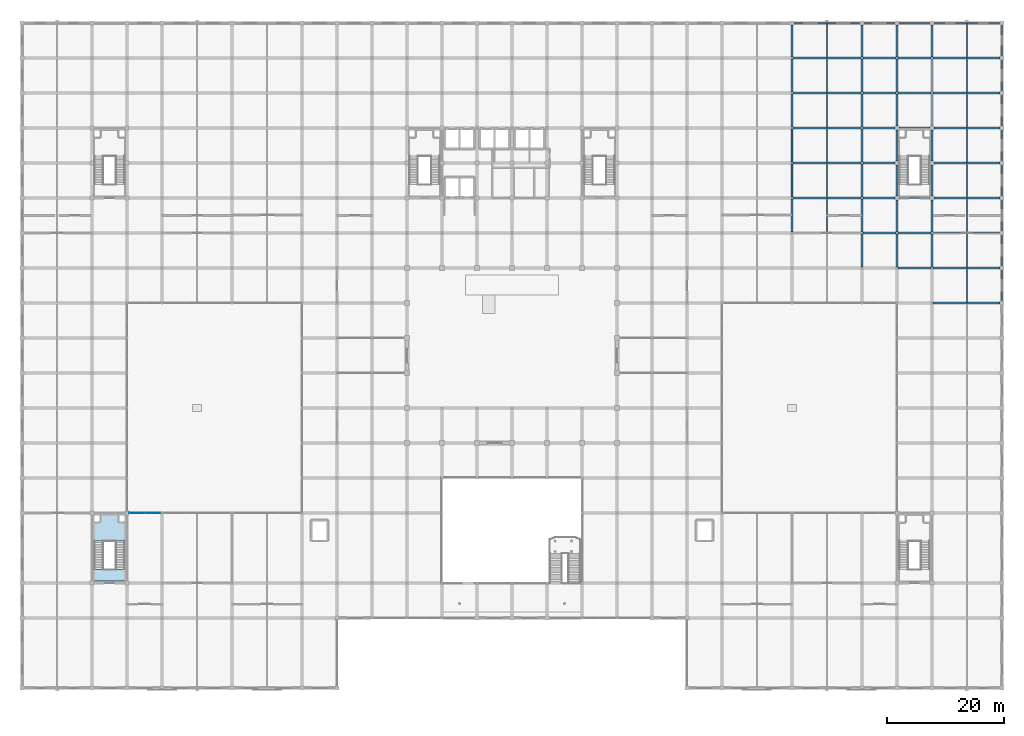
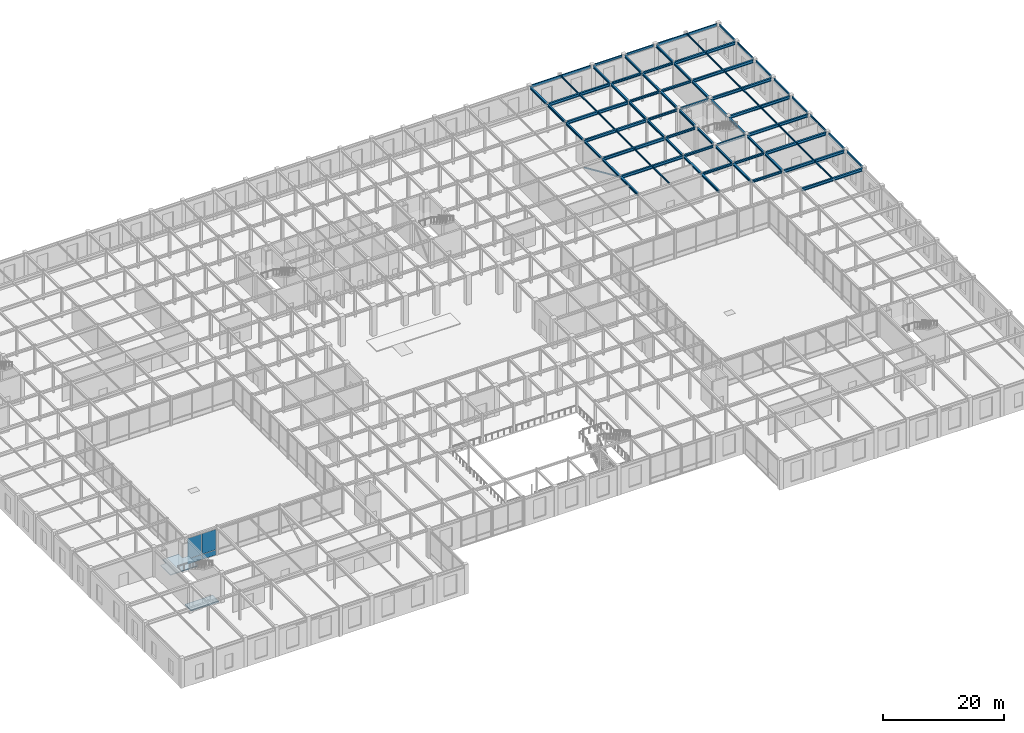
# One storey, part 92 of 108: 78 beams, 4 plates, 2 slabs, 1 member, 2 elements without a shape of their own.
"""IFC4 building model written with IfcOpenShell, lengths in metres."""

import ifcopenshell
import ifcopenshell.guid

model = None  # the IFC model being written
_history = None  # IfcOwnerHistory: only IFC2X3 demands one
_inside = {}  # id of a spatial element -> (the spatial element, [elements in it])
_under = {}  # id of a project, library or spatial element -> (it, [spatial elements below it])
_declared = {}  # id of a project -> (the project, [libraries it declares])
_typed = {}  # id of a type object -> (the type object, [elements of that type])
_made_of = {}  # id of a material, layer set ... -> (it, [elements and type objects made of it])


def new_model(schema):
    """Start an empty IFC model of exactly this schema.

    Asked for "IFC4X3", IfcOpenShell would pick the latest addendum, in which some entities
    have other attributes; the version numbers below select the first issue.
    IFC2X3 requires an IfcOwnerHistory on every rooted entity: one is made here for all.
    """
    global model, _history
    if schema == "IFC4X3":
        model = ifcopenshell.file(schema_version=(4, 3, 0, 0))
    else:
        model = ifcopenshell.file(schema=schema)
    _inside.clear()
    _under.clear()
    _declared.clear()
    _typed.clear()
    _made_of.clear()
    _history = None
    if model.schema == "IFC2X3":
        org = make("IfcOrganization", Name="unknown")
        user = make(
            "IfcPersonAndOrganization",
            ThePerson=make("IfcPerson", FamilyName="unknown"),
            TheOrganization=org,
        )
        app = make(
            "IfcApplication",
            ApplicationDeveloper=org,
            Version="unknown",
            ApplicationFullName="unknown",
            ApplicationIdentifier="unknown",
        )
        _history = make(
            "IfcOwnerHistory",
            OwningUser=user,
            OwningApplication=app,
            ChangeAction="ADDED",
            CreationDate=0,
        )
    return model


def make(cls, **values):
    """One entity of the class cls with the attributes given. An attribute that is None is left unset."""
    return model.create_entity(
        cls, **{name: value for name, value in values.items() if value is not None}
    )


def rooted(cls, **values):
    """An entity with a GlobalId (a new one), such as an element, a storey or a relation."""
    return make(cls, GlobalId=ifcopenshell.guid.new(), OwnerHistory=_history, **values)


def si_unit(unit_type, name, prefix=None):
    """IfcSIUnit, for example si_unit("LENGTHUNIT", "METRE", prefix="MILLI")."""
    return make("IfcSIUnit", UnitType=unit_type, Prefix=prefix, Name=name)


def assignment(units):
    """IfcUnitAssignment: the units of a project."""
    return None if units is None else make("IfcUnitAssignment", Units=units)


def point(xyz):
    """IfcCartesianPoint."""
    return None if xyz is None else make("IfcCartesianPoint", Coordinates=xyz)


def direction(xyz):
    """IfcDirection."""
    return None if xyz is None else make("IfcDirection", DirectionRatios=xyz)


def frame(location, z_axis=None, x_axis=None):
    """IfcAxis2Placement3D, a coordinate frame: its origin and axes. An axis left out is left unset."""
    return make(
        "IfcAxis2Placement3D",
        Location=point(location),
        Axis=direction(z_axis),
        RefDirection=direction(x_axis),
    )


def frame_2d(location, x_axis=None):
    """IfcAxis2Placement2D, a coordinate frame in the plane: its origin and x axis."""
    return make(
        "IfcAxis2Placement2D", Location=point(location), RefDirection=direction(x_axis)
    )


def origin():
    """The frame at (0, 0, 0) with its axes left unset."""
    return frame((0.0, 0.0, 0.0))


def origin_2d():
    """The frame at (0, 0) in the plane with its x axis left unset."""
    return frame_2d((0.0, 0.0))


def place(relative_to, where):
    """IfcLocalPlacement: puts the frame where relative to a parent placement (None: the world)."""
    return make(
        "IfcLocalPlacement", PlacementRelTo=relative_to, RelativePlacement=where
    )


def context(
    kind, dimensions, precision=None, world=None, true_north=None, identifier=None
):
    """IfcGeometricRepresentationContext, for example the 3D "Model" context."""
    return make(
        "IfcGeometricRepresentationContext",
        ContextIdentifier=identifier,
        ContextType=kind,
        CoordinateSpaceDimension=dimensions,
        Precision=precision,
        WorldCoordinateSystem=world,
        TrueNorth=true_north,
    )


def subcontext(parent, identifier, kind, view, scale=None):
    """IfcGeometricRepresentationSubContext, for example "Body" below "Model"."""
    return make(
        "IfcGeometricRepresentationSubContext",
        ContextIdentifier=identifier,
        ContextType=kind,
        ParentContext=parent,
        TargetScale=scale,
        TargetView=view,
    )


def project(units=None, contexts=None):
    """IfcProject with its units and contexts."""
    return rooted(
        "IfcProject",
        Name="project",
        RepresentationContexts=contexts,
        UnitsInContext=assignment(units),
    )


def spatial(cls, under=None, at=None, **own):
    """A site, building, storey or space (cls), placed at a placement, below another one or the project."""
    s = rooted(cls, ObjectPlacement=at, **own)
    if under is not None:
        _under.setdefault(under.id(), (under, []))[1].append(s)
    return s


def polyline(points):
    """IfcPolyline through the points."""
    return make("IfcPolyline", Points=[point(p) for p in points])


def profile(cls, at=None, kind="AREA", **sizes):
    """A parametric profile (cls). Its sizes go by their IFC names, for example OverallWidth=200.0."""
    return make(cls, ProfileType=kind, Position=at, **sizes)


def rectangle(**sizes):
    """IfcRectangleProfileDef."""
    return profile("IfcRectangleProfileDef", **sizes)


def hollow_rectangle(**sizes):
    """IfcRectangleHollowProfileDef."""
    return profile("IfcRectangleHollowProfileDef", **sizes)


def i_section(**sizes):
    """IfcIShapeProfileDef."""
    return profile("IfcIShapeProfileDef", **sizes)


def outline(outer, holes=None, kind="AREA"):
    """IfcArbitraryClosedProfileDef: a profile drawn as a closed curve; with holes, ...WithVoids."""
    if holes is None:
        return make("IfcArbitraryClosedProfileDef", ProfileType=kind, OuterCurve=outer)
    return make(
        "IfcArbitraryProfileDefWithVoids",
        ProfileType=kind,
        OuterCurve=outer,
        InnerCurves=holes,
    )


def extrude(swept, where, along, depth):
    """IfcExtrudedAreaSolid: the profile swept, set in the frame where, extruded along a direction by depth."""
    return make(
        "IfcExtrudedAreaSolid",
        SweptArea=swept,
        Position=where,
        ExtrudedDirection=direction(along),
        Depth=depth,
    )


def shape(context_of_items, identifier, shape_type, items):
    """IfcShapeRepresentation: the items that make up one representation, for example the "Body"."""
    return make(
        "IfcShapeRepresentation",
        ContextOfItems=context_of_items,
        RepresentationIdentifier=identifier,
        RepresentationType=shape_type,
        Items=items,
    )


def material(Name=None, Category=None):
    """IfcMaterial."""
    return make("IfcMaterial", Name=Name, Category=Category)


def layer(
    of_material, thickness, ventilated=None, Name=None, Category=None, Priority=None
):
    """IfcMaterialLayer: one layer of a wall or slab, of a material (None: an air gap)."""
    return make(
        "IfcMaterialLayer",
        Material=of_material,
        LayerThickness=thickness,
        IsVentilated=ventilated,
        Name=Name,
        Category=Category,
        Priority=Priority,
    )


def layer_set(layers, Name=None):
    """IfcMaterialLayerSet."""
    return make("IfcMaterialLayerSet", MaterialLayers=layers, LayerSetName=Name)


def material_profile(
    of_material, cross_section, Name=None, Category=None, Priority=None
):
    """IfcMaterialProfile: a cross section and its material."""
    return make(
        "IfcMaterialProfile",
        Name=Name,
        Material=of_material,
        Profile=cross_section,
        Priority=Priority,
        Category=Category,
    )


def profile_set(profiles, Name=None, composite=None):
    """IfcMaterialProfileSet."""
    return make(
        "IfcMaterialProfileSet",
        Name=Name,
        MaterialProfiles=profiles,
        CompositeProfile=composite,
    )


def made_of(thing, what):
    """Note that an element or type object is made of a material, layer set ...; save() writes the relation."""
    if what is not None:
        _made_of.setdefault(what.id(), (what, []))[1].append(thing)
    return thing


def type_object(cls, material=None, **own):
    """A type object (cls), such as IfcWallType, which elements share."""
    return made_of(rooted(cls, **own), material)


def element(
    cls,
    number,
    at=None,
    inside=None,
    cuts=None,
    type_object=None,
    material=None,
    context=None,
    identifier="Body",
    shape_type=None,
    held_by="IfcProductDefinitionShape",
    body=None,
    shapes=None,
    **own,
):
    """One element of the class cls, such as IfcWall. Its Tag is "e" and its number.

    at: its placement. inside: the storey or other place that contains it. cuts: it is an
    opening in that element (IfcRelVoidsElement). A single representation is given by context,
    identifier, shape_type and body (its items); several are given by shapes. held_by: the class
    of the entity that holds the representations. save() writes the other relations.
    """
    e = rooted(cls, Tag="e%d" % number, ObjectPlacement=at, **own)
    if body is not None:
        shapes = [shape(context, identifier, shape_type, body)]
    if shapes is not None:
        e.Representation = make(held_by, Representations=shapes)
    if inside is not None:
        _inside.setdefault(inside.id(), (inside, []))[1].append(e)
    if cuts is not None:
        rooted(
            "IfcRelVoidsElement", RelatingBuildingElement=cuts, RelatedOpeningElement=e
        )
    if type_object is not None:
        _typed.setdefault(type_object.id(), (type_object, []))[1].append(e)
    return made_of(e, material)


def aggregate(whole, parts):
    """IfcRelAggregates: a whole, such as a stair, and the parts it consists of."""
    return rooted("IfcRelAggregates", RelatingObject=whole, RelatedObjects=parts)


def save(model, path):
    """Write the relations noted so far, then the file.

    IfcRelAggregates (storeys below a building ...), IfcRelContainedInSpatialStructure (elements
    in a storey), IfcRelDefinesByType, IfcRelAssociatesMaterial and IfcRelDeclares: one each for
    every whole, place, type object, material and project.
    """
    for whole, parts in _under.values():
        aggregate(whole, parts)
    for where, things in _inside.values():
        rooted(
            "IfcRelContainedInSpatialStructure",
            RelatedElements=things,
            RelatingStructure=where,
        )
    for kind, things in _typed.values():
        rooted("IfcRelDefinesByType", RelatedObjects=things, RelatingType=kind)
    for what, things in _made_of.values():
        rooted("IfcRelAssociatesMaterial", RelatedObjects=things, RelatingMaterial=what)
    for by, libraries in _declared.values():
        rooted("IfcRelDeclares", RelatingContext=by, RelatedDefinitions=libraries)
    model.write(path)


model = new_model("IFC4")

# Units and contexts
model_context = context("Model", 3, precision=1e-05, world=origin(), true_north=direction((0.0, 1.0)))
body_context = subcontext(model_context, "Body", "Model", "MODEL_VIEW")
ifc_project = project(units=[si_unit("LENGTHUNIT", "METRE"), si_unit("AREAUNIT", "SQUARE_METRE"), si_unit("VOLUMEUNIT", "CUBIC_METRE"), si_unit("PLANEANGLEUNIT", "RADIAN"), si_unit("MASSUNIT", "GRAM", prefix="KILO")], contexts=[model_context])

# Site, building, storey
site_placement = place(None, origin())
site = spatial("IfcSite", under=ifc_project, at=site_placement, CompositionType="ELEMENT")
building_placement = place(site_placement, origin())
building = spatial("IfcBuilding", under=site, at=building_placement, Name="Zlatovratsky Civic Hall", CompositionType="ELEMENT")
storey_placement = place(building_placement, frame((0.0, 0.0, 6.0)))
storey = spatial("IfcBuildingStorey", under=building, at=storey_placement, Name="L02", CompositionType="ELEMENT", Elevation=6.0)

# Beams
ifc_material_1 = material(Name="Steel S355", Category="steel")
ifc_material_profile_1 = material_profile(ifc_material_1, i_section(OverallWidth=0.320068359375, OverallDepth=0.58203125, WebThickness=0.011962890625, FlangeThickness=0.01708984375, FilletRadius=0.02392578125, at=origin_2d()), Name="60Sh1")
ifc_profile_set_1 = profile_set([ifc_material_profile_1], Name="Steel S355")
beam_type_1 = type_object("IfcBeamType", Name="Beam_PodiumGirder_60Sh1", PredefinedType="BEAM", material=ifc_profile_set_1)
for number, where, z_axis, x_axis, name in (
    (1, (156.14990234375, 66.0, 5.468994140625), (1.0, 0.0, 0.0), (0.0, 1.0, 0.0), "BM-1884"),
    (2, (156.14990234375, 72.0, 5.468994140625), (1.0, 0.0, 0.0), (0.0, 1.0, 0.0), "BM-1906"),
    (3, (156.14990234375, 78.0, 5.468994140625), (1.0, 0.0, 0.0), (0.0, 1.0, 0.0), "BM-1928"),
):
    element("IfcBeam", number, at=place(storey_placement, frame(where, z_axis=z_axis, x_axis=x_axis)), inside=storey, type_object=beam_type_1, Name=name, PredefinedType="BEAM", context=body_context, shape_type="SweptSolid", body=[
        extrude(i_section(OverallWidth=0.320068359375, OverallDepth=0.58203125, WebThickness=0.011962890625, FlangeThickness=0.01708984375, FilletRadius=0.02392578125, at=origin_2d()), origin(), (0.0, 0.0, 1.0), 11.5),
    ])
beam_1_placement = place(storey_placement, frame((132.14990234375, 84.0, 5.468994140625), z_axis=(1.0, 0.0, 0.0), x_axis=(0.0, 1.0, 0.0)))
element("IfcBeam", 4, at=beam_1_placement, inside=storey, type_object=beam_type_1, Name="BM-1947", PredefinedType="BEAM", context=body_context, shape_type="SweptSolid", body=[
    extrude(i_section(OverallWidth=0.320068359375, OverallDepth=0.58203125, WebThickness=0.011962890625, FlangeThickness=0.01708984375, FilletRadius=0.02392578125, at=origin_2d()), origin(), (0.0, 0.0, 1.0), 11.7001953125),
])
beam_2_placement = place(storey_placement, frame((156.35009765625, 84.0, 5.468994140625), z_axis=(1.0, 0.0, 0.0), x_axis=(0.0, 1.0, 0.0)))
element("IfcBeam", 5, at=beam_2_placement, inside=storey, type_object=beam_type_1, Name="BM-1950", PredefinedType="BEAM", context=body_context, shape_type="SweptSolid", body=[
    extrude(i_section(OverallWidth=0.320068359375, OverallDepth=0.58203125, WebThickness=0.011962890625, FlangeThickness=0.01708984375, FilletRadius=0.02392578125, at=origin_2d()), origin(), (0.0, 0.0, 1.0), 11.2998046875),
])
beam_3_placement = place(storey_placement, frame((132.14990234375, 90.0, 5.468994140625), z_axis=(1.0, 0.0, 0.0), x_axis=(0.0, 1.0, 0.0)))
element("IfcBeam", 6, at=beam_3_placement, inside=storey, type_object=beam_type_1, Name="BM-1966", PredefinedType="BEAM", context=body_context, shape_type="SweptSolid", body=[
    extrude(i_section(OverallWidth=0.320068359375, OverallDepth=0.58203125, WebThickness=0.011962890625, FlangeThickness=0.01708984375, FilletRadius=0.02392578125, at=origin_2d()), origin(), (0.0, 0.0, 1.0), 11.7001953125),
])
beam_4_placement = place(storey_placement, frame((156.35009765625, 90.0, 5.468994140625), z_axis=(1.0, 0.0, 0.0), x_axis=(0.0, 1.0, 0.0)))
element("IfcBeam", 7, at=beam_4_placement, inside=storey, type_object=beam_type_1, Name="BM-1968", PredefinedType="BEAM", context=body_context, shape_type="SweptSolid", body=[
    extrude(i_section(OverallWidth=0.320068359375, OverallDepth=0.58203125, WebThickness=0.011962890625, FlangeThickness=0.01708984375, FilletRadius=0.02392578125, at=origin_2d()), origin(), (0.0, 0.0, 1.0), 11.2998046875),
])
beam_5_placement = place(storey_placement, frame((132.14990234375, 96.0, 5.468994140625), z_axis=(1.0, 0.0, 0.0), x_axis=(0.0, 1.0, 0.0)))
element("IfcBeam", 8, at=beam_5_placement, inside=storey, type_object=beam_type_1, Name="BM-1987", PredefinedType="BEAM", context=body_context, shape_type="SweptSolid", body=[
    extrude(i_section(OverallWidth=0.320068359375, OverallDepth=0.58203125, WebThickness=0.011962890625, FlangeThickness=0.01708984375, FilletRadius=0.02392578125, at=origin_2d()), origin(), (0.0, 0.0, 1.0), 11.7001953125),
])
beam_6_placement = place(storey_placement, frame((156.35009765625, 96.0, 5.468994140625), z_axis=(1.0, 0.0, 0.0), x_axis=(0.0, 1.0, 0.0)))
element("IfcBeam", 9, at=beam_6_placement, inside=storey, type_object=beam_type_1, Name="BM-1990", PredefinedType="BEAM", context=body_context, shape_type="SweptSolid", body=[
    extrude(i_section(OverallWidth=0.320068359375, OverallDepth=0.58203125, WebThickness=0.011962890625, FlangeThickness=0.01708984375, FilletRadius=0.02392578125, at=origin_2d()), origin(), (0.0, 0.0, 1.0), 11.2998046875),
])
beam_7_placement = place(storey_placement, frame((132.14990234375, 102.0, 5.468994140625), z_axis=(1.0, 0.0, 0.0), x_axis=(0.0, 1.0, 0.0)))
element("IfcBeam", 10, at=beam_7_placement, inside=storey, type_object=beam_type_1, Name="BM-2009", PredefinedType="BEAM", context=body_context, shape_type="SweptSolid", body=[
    extrude(i_section(OverallWidth=0.320068359375, OverallDepth=0.58203125, WebThickness=0.011962890625, FlangeThickness=0.01708984375, FilletRadius=0.02392578125, at=origin_2d()), origin(), (0.0, 0.0, 1.0), 11.7001953125),
])
beam_8_placement = place(storey_placement, frame((156.14990234375, 102.0, 5.468994140625), z_axis=(1.0, 0.0, 0.0), x_axis=(0.0, 1.0, 0.0)))
element("IfcBeam", 11, at=beam_8_placement, inside=storey, type_object=beam_type_1, Name="BM-2012", PredefinedType="BEAM", context=body_context, shape_type="SweptSolid", body=[
    extrude(i_section(OverallWidth=0.320068359375, OverallDepth=0.58203125, WebThickness=0.011962890625, FlangeThickness=0.01708984375, FilletRadius=0.02392578125, at=origin_2d()), origin(), (0.0, 0.0, 1.0), 11.5),
])
beam_9_placement = place(storey_placement, frame((132.14990234375, 108.0, 5.468994140625), z_axis=(1.0, 0.0, 0.0), x_axis=(0.0, 1.0, 0.0)))
element("IfcBeam", 12, at=beam_9_placement, inside=storey, type_object=beam_type_1, Name="BM-2031", PredefinedType="BEAM", context=body_context, shape_type="SweptSolid", body=[
    extrude(i_section(OverallWidth=0.320068359375, OverallDepth=0.58203125, WebThickness=0.011962890625, FlangeThickness=0.01708984375, FilletRadius=0.02392578125, at=origin_2d()), origin(), (0.0, 0.0, 1.0), 11.7001953125),
])
beam_10_placement = place(storey_placement, frame((156.14990234375, 108.0, 5.468994140625), z_axis=(1.0, 0.0, 0.0), x_axis=(0.0, 1.0, 0.0)))
element("IfcBeam", 13, at=beam_10_placement, inside=storey, type_object=beam_type_1, Name="BM-2034", PredefinedType="BEAM", context=body_context, shape_type="SweptSolid", body=[
    extrude(i_section(OverallWidth=0.320068359375, OverallDepth=0.58203125, WebThickness=0.011962890625, FlangeThickness=0.01708984375, FilletRadius=0.02392578125, at=origin_2d()), origin(), (0.0, 0.0, 1.0), 11.5),
])
ifc_material_profile_2 = material_profile(ifc_material_1, i_section(OverallWidth=0.198974609375, OverallDepth=0.491943359375, WebThickness=0.0087890625, FlangeThickness=0.011962890625, FilletRadius=0.01611328125, at=origin_2d()), Name="50B1")
ifc_profile_set_2 = profile_set([ifc_material_profile_2], Name="Steel S355")
beam_type_2 = type_object("IfcBeamType", Name="Beam_Spandrel_50B1", PredefinedType="SPANDREL", material=ifc_profile_set_2)
for number, where, z_axis, x_axis, name in (
    (14, (144.35009765625, 114.0, 5.513916015625), (1.0, 0.0, 0.0), (0.0, 1.0, 0.0), "BM-2054"),
    (15, (150.35009765625, 114.0, 5.513916015625), (1.0, 0.0, 0.0), (0.0, 1.0, 0.0), "BM-2055"),
    (16, (168.0, 66.35009765625, 5.513916015625), (0.0, 1.0, 0.0), (-1.0, 0.0, 0.0), "BM-2381"),
    (17, (168.0, 72.35009765625, 5.513916015625), (0.0, 1.0, 0.0), (-1.0, 0.0, 0.0), "BM-2382"),
    (18, (168.0, 78.35009765625, 5.513916015625), (0.0, 1.0, 0.0), (-1.0, 0.0, 0.0), "BM-2383"),
    (19, (168.0, 84.35009765625, 5.513916015625), (0.0, 1.0, 0.0), (-1.0, 0.0, 0.0), "BM-2384"),
    (20, (168.0, 90.35009765625, 5.513916015625), (0.0, 1.0, 0.0), (-1.0, 0.0, 0.0), "BM-2385"),
    (21, (168.0, 96.35009765625, 5.513916015625), (0.0, 1.0, 0.0), (-1.0, 0.0, 0.0), "BM-2386"),
    (22, (168.0, 102.35009765625, 5.513916015625), (0.0, 1.0, 0.0), (-1.0, 0.0, 0.0), "BM-2387"),
    (23, (168.0, 108.35009765625, 5.513916015625), (0.0, 1.0, 0.0), (-1.0, 0.0, 0.0), "BM-2388"),
):
    element("IfcBeam", number, at=place(storey_placement, frame(where, z_axis=z_axis, x_axis=x_axis)), inside=storey, type_object=beam_type_2, Name=name, PredefinedType="SPANDREL", context=body_context, shape_type="SweptSolid", body=[
        extrude(i_section(OverallWidth=0.198974609375, OverallDepth=0.491943359375, WebThickness=0.0087890625, FlangeThickness=0.011962890625, FilletRadius=0.01611328125, at=origin_2d()), origin(), (0.0, 0.0, 1.0), 5.2998046875),
    ])
ifc_material_profile_3 = material_profile(ifc_material_1, i_section(OverallWidth=0.198974609375, OverallDepth=0.593017578125, WebThickness=0.010498046875, FlangeThickness=0.014892578125, FilletRadius=0.01806640625, at=origin_2d()), Name="60B1")
ifc_profile_set_3 = profile_set([ifc_material_profile_3], Name="Steel S355")
beam_type_3 = type_object("IfcBeamType", Name="Beam_Spandrel_60B1", PredefinedType="SPANDREL", material=ifc_profile_set_3)
for number, where, z_axis, x_axis, name in (
    (24, (132.35009765625, 114.0, 5.46337890625), (1.0, 0.0, 0.0), (0.0, 1.0, 0.0), "BM-2053"),
    (25, (156.35009765625, 114.0, 5.46337890625), (1.0, 0.0, 0.0), (0.0, 1.0, 0.0), "BM-2056"),
):
    element("IfcBeam", number, at=place(storey_placement, frame(where, z_axis=z_axis, x_axis=x_axis)), inside=storey, type_object=beam_type_3, Name=name, PredefinedType="SPANDREL", context=body_context, shape_type="SweptSolid", body=[
        extrude(i_section(OverallWidth=0.198974609375, OverallDepth=0.593017578125, WebThickness=0.010498046875, FlangeThickness=0.014892578125, FilletRadius=0.01806640625, at=origin_2d()), origin(), (0.0, 0.0, 1.0), 11.2998046875),
    ])
ifc_material_profile_4 = material_profile(ifc_material_1, i_section(OverallWidth=0.300048828125, OverallDepth=0.43994140625, WebThickness=0.010986328125, FlangeThickness=0.01806640625, FilletRadius=0.02197265625, at=origin_2d()), Name="45Sh1")
ifc_profile_set_4 = profile_set([ifc_material_profile_4], Name="Steel S355")
beam_type_4 = type_object("IfcBeamType", Name="Beam_TowerLow_45Sh1", PredefinedType="BEAM", material=ifc_profile_set_4)
for number, where, z_axis, x_axis, name in (
    (26, (150.14990234375, 72.0, 5.5400390625), (1.0, 0.0, 0.0), (0.0, 1.0, 0.0), "BM-1905"),
    (27, (144.14990234375, 78.0, 5.5400390625), (1.0, 0.0, 0.0), (0.0, 1.0, 0.0), "BM-1926"),
    (28, (150.14990234375, 78.0, 5.5400390625), (1.0, 0.0, 0.0), (0.0, 1.0, 0.0), "BM-1927"),
):
    element("IfcBeam", number, at=place(storey_placement, frame(where, z_axis=z_axis, x_axis=x_axis)), inside=storey, type_object=beam_type_4, Name=name, PredefinedType="BEAM", context=body_context, shape_type="SweptSolid", body=[
        extrude(i_section(OverallWidth=0.300048828125, OverallDepth=0.43994140625, WebThickness=0.010986328125, FlangeThickness=0.01806640625, FilletRadius=0.02197265625, at=origin_2d()), origin(), (0.0, 0.0, 1.0), 5.7001953125),
    ])
beam_11_placement = place(storey_placement, frame((144.14990234375, 84.0, 5.5400390625), z_axis=(1.0, 0.0, 0.0), x_axis=(0.0, 1.0, 0.0)))
element("IfcBeam", 29, at=beam_11_placement, inside=storey, type_object=beam_type_4, Name="BM-1948", PredefinedType="BEAM", context=body_context, shape_type="SweptSolid", body=[
    extrude(i_section(OverallWidth=0.300048828125, OverallDepth=0.43994140625, WebThickness=0.010986328125, FlangeThickness=0.01806640625, FilletRadius=0.02197265625, at=origin_2d()), origin(), (0.0, 0.0, 1.0), 5.5),
])
beam_12_placement = place(storey_placement, frame((150.35009765625, 84.0, 5.5400390625), z_axis=(1.0, 0.0, 0.0), x_axis=(0.0, 1.0, 0.0)))
element("IfcBeam", 30, at=beam_12_placement, inside=storey, type_object=beam_type_4, Name="BM-1949", PredefinedType="BEAM", context=body_context, shape_type="SweptSolid", body=[
    extrude(i_section(OverallWidth=0.300048828125, OverallDepth=0.43994140625, WebThickness=0.010986328125, FlangeThickness=0.01806640625, FilletRadius=0.02197265625, at=origin_2d()), origin(), (0.0, 0.0, 1.0), 5.2998046875),
])
for number, where, z_axis, x_axis, name in (
    (31, (144.14990234375, 90.0, 5.5400390625), (1.0, 0.0, 0.0), (0.0, 1.0, 0.0), "BM-1967"),
    (32, (144.14990234375, 96.0, 5.5400390625), (1.0, 0.0, 0.0), (0.0, 1.0, 0.0), "BM-1988"),
):
    element("IfcBeam", number, at=place(storey_placement, frame(where, z_axis=z_axis, x_axis=x_axis)), inside=storey, type_object=beam_type_4, Name=name, PredefinedType="BEAM", context=body_context, shape_type="SweptSolid", body=[
        extrude(i_section(OverallWidth=0.300048828125, OverallDepth=0.43994140625, WebThickness=0.010986328125, FlangeThickness=0.01806640625, FilletRadius=0.02197265625, at=origin_2d()), origin(), (0.0, 0.0, 1.0), 5.5),
    ])
beam_13_placement = place(storey_placement, frame((150.35009765625, 96.0, 5.5400390625), z_axis=(1.0, 0.0, 0.0), x_axis=(0.0, 1.0, 0.0)))
element("IfcBeam", 33, at=beam_13_placement, inside=storey, type_object=beam_type_4, Name="BM-1989", PredefinedType="BEAM", context=body_context, shape_type="SweptSolid", body=[
    extrude(i_section(OverallWidth=0.300048828125, OverallDepth=0.43994140625, WebThickness=0.010986328125, FlangeThickness=0.01806640625, FilletRadius=0.02197265625, at=origin_2d()), origin(), (0.0, 0.0, 1.0), 5.2998046875),
])
for number, where, z_axis, x_axis, name in (
    (34, (144.14990234375, 102.0, 5.5400390625), (1.0, 0.0, 0.0), (0.0, 1.0, 0.0), "BM-2010"),
    (35, (150.14990234375, 102.0, 5.5400390625), (1.0, 0.0, 0.0), (0.0, 1.0, 0.0), "BM-2011"),
    (36, (144.14990234375, 108.0, 5.5400390625), (1.0, 0.0, 0.0), (0.0, 1.0, 0.0), "BM-2032"),
    (37, (150.14990234375, 108.0, 5.5400390625), (1.0, 0.0, 0.0), (0.0, 1.0, 0.0), "BM-2033"),
    (38, (132.0, 78.14990234375, 5.5400390625), (0.0, 1.0, 0.0), (-1.0, 0.0, 0.0), "BM-2321"),
    (39, (132.0, 84.14990234375, 5.5400390625), (0.0, 1.0, 0.0), (-1.0, 0.0, 0.0), "BM-2322"),
    (40, (132.0, 90.14990234375, 5.5400390625), (0.0, 1.0, 0.0), (-1.0, 0.0, 0.0), "BM-2323"),
    (41, (132.0, 96.14990234375, 5.5400390625), (0.0, 1.0, 0.0), (-1.0, 0.0, 0.0), "BM-2324"),
    (42, (132.0, 102.14990234375, 5.5400390625), (0.0, 1.0, 0.0), (-1.0, 0.0, 0.0), "BM-2325"),
):
    element("IfcBeam", number, at=place(storey_placement, frame(where, z_axis=z_axis, x_axis=x_axis)), inside=storey, type_object=beam_type_4, Name=name, PredefinedType="BEAM", context=body_context, shape_type="SweptSolid", body=[
        extrude(i_section(OverallWidth=0.300048828125, OverallDepth=0.43994140625, WebThickness=0.010986328125, FlangeThickness=0.01806640625, FilletRadius=0.02197265625, at=origin_2d()), origin(), (0.0, 0.0, 1.0), 5.7001953125),
    ])
beam_14_placement = place(storey_placement, frame((132.0, 108.14990234375, 5.5400390625), z_axis=(0.0, 1.0, 0.0), x_axis=(-1.0, 0.0, 0.0)))
element("IfcBeam", 43, at=beam_14_placement, inside=storey, type_object=beam_type_4, Name="BM-2326", PredefinedType="BEAM", context=body_context, shape_type="SweptSolid", body=[
    extrude(i_section(OverallWidth=0.300048828125, OverallDepth=0.43994140625, WebThickness=0.010986328125, FlangeThickness=0.01806640625, FilletRadius=0.02197265625, at=origin_2d()), origin(), (0.0, 0.0, 1.0), 5.5),
])
for number, where, z_axis, x_axis, name in (
    (44, (144.0, 72.14990234375, 5.5400390625), (0.0, 1.0, 0.0), (-1.0, 0.0, 0.0), "BM-2331"),
    (45, (144.0, 78.14990234375, 5.5400390625), (0.0, 1.0, 0.0), (-1.0, 0.0, 0.0), "BM-2332"),
    (46, (144.0, 84.14990234375, 5.5400390625), (0.0, 1.0, 0.0), (-1.0, 0.0, 0.0), "BM-2333"),
    (47, (144.0, 90.14990234375, 5.5400390625), (0.0, 1.0, 0.0), (-1.0, 0.0, 0.0), "BM-2334"),
    (48, (144.0, 96.14990234375, 5.5400390625), (0.0, 1.0, 0.0), (-1.0, 0.0, 0.0), "BM-2335"),
    (49, (144.0, 102.14990234375, 5.5400390625), (0.0, 1.0, 0.0), (-1.0, 0.0, 0.0), "BM-2336"),
):
    element("IfcBeam", number, at=place(storey_placement, frame(where, z_axis=z_axis, x_axis=x_axis)), inside=storey, type_object=beam_type_4, Name=name, PredefinedType="BEAM", context=body_context, shape_type="SweptSolid", body=[
        extrude(i_section(OverallWidth=0.300048828125, OverallDepth=0.43994140625, WebThickness=0.010986328125, FlangeThickness=0.01806640625, FilletRadius=0.02197265625, at=origin_2d()), origin(), (0.0, 0.0, 1.0), 5.7001953125),
    ])
beam_15_placement = place(storey_placement, frame((144.0, 108.14990234375, 5.5400390625), z_axis=(0.0, 1.0, 0.0), x_axis=(-1.0, 0.0, 0.0)))
element("IfcBeam", 50, at=beam_15_placement, inside=storey, type_object=beam_type_4, Name="BM-2337", PredefinedType="BEAM", context=body_context, shape_type="SweptSolid", body=[
    extrude(i_section(OverallWidth=0.300048828125, OverallDepth=0.43994140625, WebThickness=0.010986328125, FlangeThickness=0.01806640625, FilletRadius=0.02197265625, at=origin_2d()), origin(), (0.0, 0.0, 1.0), 5.5),
])
beam_16_placement = place(storey_placement, frame((150.0, 72.14990234375, 5.5400390625), z_axis=(0.0, 1.0, 0.0), x_axis=(-1.0, 0.0, 0.0)))
element("IfcBeam", 51, at=beam_16_placement, inside=storey, type_object=beam_type_4, Name="BM-2348", PredefinedType="BEAM", context=body_context, shape_type="SweptSolid", body=[
    extrude(i_section(OverallWidth=0.300048828125, OverallDepth=0.43994140625, WebThickness=0.010986328125, FlangeThickness=0.01806640625, FilletRadius=0.02197265625, at=origin_2d()), origin(), (0.0, 0.0, 1.0), 5.7001953125),
])
beam_17_placement = place(storey_placement, frame((150.0, 78.14990234375, 5.5400390625), z_axis=(0.0, 1.0, 0.0), x_axis=(-1.0, 0.0, 0.0)))
element("IfcBeam", 52, at=beam_17_placement, inside=storey, type_object=beam_type_4, Name="BM-2349", PredefinedType="BEAM", context=body_context, shape_type="SweptSolid", body=[
    extrude(i_section(OverallWidth=0.300048828125, OverallDepth=0.43994140625, WebThickness=0.010986328125, FlangeThickness=0.01806640625, FilletRadius=0.02197265625, at=origin_2d()), origin(), (0.0, 0.0, 1.0), 5.5),
])
for number, where, z_axis, x_axis, name in (
    (53, (150.0, 84.35009765625, 5.5400390625), (0.0, 1.0, 0.0), (-1.0, 0.0, 0.0), "BM-2350"),
    (54, (150.0, 90.35009765625, 5.5400390625), (0.0, 1.0, 0.0), (-1.0, 0.0, 0.0), "BM-2351"),
):
    element("IfcBeam", number, at=place(storey_placement, frame(where, z_axis=z_axis, x_axis=x_axis)), inside=storey, type_object=beam_type_4, Name=name, PredefinedType="BEAM", context=body_context, shape_type="SweptSolid", body=[
        extrude(i_section(OverallWidth=0.300048828125, OverallDepth=0.43994140625, WebThickness=0.010986328125, FlangeThickness=0.01806640625, FilletRadius=0.02197265625, at=origin_2d()), origin(), (0.0, 0.0, 1.0), 5.2998046875),
    ])
beam_18_placement = place(storey_placement, frame((150.0, 96.35009765625, 5.5400390625), z_axis=(0.0, 1.0, 0.0), x_axis=(-1.0, 0.0, 0.0)))
element("IfcBeam", 55, at=beam_18_placement, inside=storey, type_object=beam_type_4, Name="BM-2352", PredefinedType="BEAM", context=body_context, shape_type="SweptSolid", body=[
    extrude(i_section(OverallWidth=0.300048828125, OverallDepth=0.43994140625, WebThickness=0.010986328125, FlangeThickness=0.01806640625, FilletRadius=0.02197265625, at=origin_2d()), origin(), (0.0, 0.0, 1.0), 5.5),
])
beam_19_placement = place(storey_placement, frame((150.0, 102.14990234375, 5.5400390625), z_axis=(0.0, 1.0, 0.0), x_axis=(-1.0, 0.0, 0.0)))
element("IfcBeam", 56, at=beam_19_placement, inside=storey, type_object=beam_type_4, Name="BM-2353", PredefinedType="BEAM", context=body_context, shape_type="SweptSolid", body=[
    extrude(i_section(OverallWidth=0.300048828125, OverallDepth=0.43994140625, WebThickness=0.010986328125, FlangeThickness=0.01806640625, FilletRadius=0.02197265625, at=origin_2d()), origin(), (0.0, 0.0, 1.0), 5.7001953125),
])
beam_20_placement = place(storey_placement, frame((150.0, 108.14990234375, 5.5400390625), z_axis=(0.0, 1.0, 0.0), x_axis=(-1.0, 0.0, 0.0)))
element("IfcBeam", 57, at=beam_20_placement, inside=storey, type_object=beam_type_4, Name="BM-2354", PredefinedType="BEAM", context=body_context, shape_type="SweptSolid", body=[
    extrude(i_section(OverallWidth=0.300048828125, OverallDepth=0.43994140625, WebThickness=0.010986328125, FlangeThickness=0.01806640625, FilletRadius=0.02197265625, at=origin_2d()), origin(), (0.0, 0.0, 1.0), 5.5),
])
beam_21_placement = place(storey_placement, frame((156.0, 72.14990234375, 5.5400390625), z_axis=(0.0, 1.0, 0.0), x_axis=(-1.0, 0.0, 0.0)))
element("IfcBeam", 58, at=beam_21_placement, inside=storey, type_object=beam_type_4, Name="BM-2365", PredefinedType="BEAM", context=body_context, shape_type="SweptSolid", body=[
    extrude(i_section(OverallWidth=0.300048828125, OverallDepth=0.43994140625, WebThickness=0.010986328125, FlangeThickness=0.01806640625, FilletRadius=0.02197265625, at=origin_2d()), origin(), (0.0, 0.0, 1.0), 5.7001953125),
])
beam_22_placement = place(storey_placement, frame((156.0, 78.14990234375, 5.5400390625), z_axis=(0.0, 1.0, 0.0), x_axis=(-1.0, 0.0, 0.0)))
element("IfcBeam", 59, at=beam_22_placement, inside=storey, type_object=beam_type_4, Name="BM-2366", PredefinedType="BEAM", context=body_context, shape_type="SweptSolid", body=[
    extrude(i_section(OverallWidth=0.300048828125, OverallDepth=0.43994140625, WebThickness=0.010986328125, FlangeThickness=0.01806640625, FilletRadius=0.02197265625, at=origin_2d()), origin(), (0.0, 0.0, 1.0), 5.5),
])
for number, where, z_axis, x_axis, name in (
    (60, (156.0, 84.35009765625, 5.5400390625), (0.0, 1.0, 0.0), (-1.0, 0.0, 0.0), "BM-2367"),
    (61, (156.0, 90.35009765625, 5.5400390625), (0.0, 1.0, 0.0), (-1.0, 0.0, 0.0), "BM-2368"),
):
    element("IfcBeam", number, at=place(storey_placement, frame(where, z_axis=z_axis, x_axis=x_axis)), inside=storey, type_object=beam_type_4, Name=name, PredefinedType="BEAM", context=body_context, shape_type="SweptSolid", body=[
        extrude(i_section(OverallWidth=0.300048828125, OverallDepth=0.43994140625, WebThickness=0.010986328125, FlangeThickness=0.01806640625, FilletRadius=0.02197265625, at=origin_2d()), origin(), (0.0, 0.0, 1.0), 5.2998046875),
    ])
beam_23_placement = place(storey_placement, frame((156.0, 96.35009765625, 5.5400390625), z_axis=(0.0, 1.0, 0.0), x_axis=(-1.0, 0.0, 0.0)))
element("IfcBeam", 62, at=beam_23_placement, inside=storey, type_object=beam_type_4, Name="BM-2369", PredefinedType="BEAM", context=body_context, shape_type="SweptSolid", body=[
    extrude(i_section(OverallWidth=0.300048828125, OverallDepth=0.43994140625, WebThickness=0.010986328125, FlangeThickness=0.01806640625, FilletRadius=0.02197265625, at=origin_2d()), origin(), (0.0, 0.0, 1.0), 5.5),
])
beam_24_placement = place(storey_placement, frame((156.0, 102.14990234375, 5.5400390625), z_axis=(0.0, 1.0, 0.0), x_axis=(-1.0, 0.0, 0.0)))
element("IfcBeam", 63, at=beam_24_placement, inside=storey, type_object=beam_type_4, Name="BM-2370", PredefinedType="BEAM", context=body_context, shape_type="SweptSolid", body=[
    extrude(i_section(OverallWidth=0.300048828125, OverallDepth=0.43994140625, WebThickness=0.010986328125, FlangeThickness=0.01806640625, FilletRadius=0.02197265625, at=origin_2d()), origin(), (0.0, 0.0, 1.0), 5.7001953125),
])
beam_25_placement = place(storey_placement, frame((156.0, 108.14990234375, 5.5400390625), z_axis=(0.0, 1.0, 0.0), x_axis=(-1.0, 0.0, 0.0)))
element("IfcBeam", 64, at=beam_25_placement, inside=storey, type_object=beam_type_4, Name="BM-2371", PredefinedType="BEAM", context=body_context, shape_type="SweptSolid", body=[
    extrude(i_section(OverallWidth=0.300048828125, OverallDepth=0.43994140625, WebThickness=0.010986328125, FlangeThickness=0.01806640625, FilletRadius=0.02197265625, at=origin_2d()), origin(), (0.0, 0.0, 1.0), 5.5),
])

# Member
ifc_material_profile_5 = material_profile(ifc_material_1, hollow_rectangle(XDim=0.219970703125, YDim=0.219970703125, WallThickness=0.010009765625, at=origin_2d()), Name="SHS 220x220x10")
ifc_profile_set_5 = profile_set([ifc_material_profile_5], Name="Steel S355")
member_type = type_object("IfcMemberType", Name="Brace_Podium_SHS220", PredefinedType="BRACE", material=ifc_profile_set_5)
member_placement = place(storey_placement, frame((132.0, 84.14990234375, 5.449951171875), z_axis=(0.0, 0.913815480127, -0.406129620049), x_axis=(-1.0, 0.0, 0.0)))
element("IfcMember", 65, at=member_placement, inside=storey, type_object=member_type, Name="MB-0107", PredefinedType="BRACE", context=body_context, shape_type="SweptSolid", body=[
    extrude(hollow_rectangle(XDim=0.219970703125, YDim=0.219970703125, WallThickness=0.010009765625, at=origin_2d()), origin(), (0.0, 0.0, 1.0), 12.8037109375),
])

# Beams
ifc_material_profile_6 = material_profile(ifc_material_1, i_section(OverallWidth=0.14990234375, OverallDepth=0.300048828125, WebThickness=0.006591796875, FlangeThickness=0.009033203125, FilletRadius=0.012939453125, at=origin_2d()), Name="30B2")
ifc_profile_set_6 = profile_set([ifc_material_profile_6], Name="Steel S355")
beam_type_5 = type_object("IfcBeamType", Name="Joist_Podium_30B2", PredefinedType="JOIST", material=ifc_profile_set_6)
for number, where, z_axis, x_axis, name in (
    (66, (162.0, 66.159912109375, 5.610107421875), (0.0, 1.0, 0.0), (-1.0, 0.0, 0.0), "BM-2424"),
    (67, (162.0, 72.159912109375, 5.610107421875), (0.0, 1.0, 0.0), (-1.0, 0.0, 0.0), "BM-2430"),
    (68, (138.0, 78.159912109375, 5.610107421875), (0.0, 1.0, 0.0), (-1.0, 0.0, 0.0), "BM-2435"),
    (69, (162.0, 78.159912109375, 5.610107421875), (0.0, 1.0, 0.0), (-1.0, 0.0, 0.0), "BM-2436"),
    (70, (138.0, 84.159912109375, 5.610107421875), (0.0, 1.0, 0.0), (-1.0, 0.0, 0.0), "BM-2441"),
    (71, (162.0, 84.159912109375, 5.610107421875), (0.0, 1.0, 0.0), (-1.0, 0.0, 0.0), "BM-2442"),
    (72, (138.0, 90.159912109375, 5.610107421875), (0.0, 1.0, 0.0), (-1.0, 0.0, 0.0), "BM-2449"),
    (73, (162.0, 90.159912109375, 5.610107421875), (0.0, 1.0, 0.0), (-1.0, 0.0, 0.0), "BM-2450"),
    (74, (138.0, 96.159912109375, 5.610107421875), (0.0, 1.0, 0.0), (-1.0, 0.0, 0.0), "BM-2455"),
    (75, (162.0, 96.159912109375, 5.610107421875), (0.0, 1.0, 0.0), (-1.0, 0.0, 0.0), "BM-2456"),
    (76, (138.0, 102.159912109375, 5.610107421875), (0.0, 1.0, 0.0), (-1.0, 0.0, 0.0), "BM-2461"),
    (77, (162.0, 102.159912109375, 5.610107421875), (0.0, 1.0, 0.0), (-1.0, 0.0, 0.0), "BM-2462"),
):
    element("IfcBeam", number, at=place(storey_placement, frame(where, z_axis=z_axis, x_axis=x_axis)), inside=storey, type_object=beam_type_5, Name=name, PredefinedType="JOIST", context=body_context, shape_type="SweptSolid", body=[
        extrude(i_section(OverallWidth=0.14990234375, OverallDepth=0.300048828125, WebThickness=0.006591796875, FlangeThickness=0.009033203125, FilletRadius=0.012939453125, at=origin_2d()), origin(), (0.0, 0.0, 1.0), 5.68017578125),
    ])
for number, where, z_axis, x_axis, name in (
    (78, (138.0, 108.159912109375, 5.610107421875), (0.0, 1.0, 0.0), (-1.0, 0.0, 0.0), "BM-2467"),
    (79, (162.0, 108.159912109375, 5.610107421875), (0.0, 1.0, 0.0), (-1.0, 0.0, 0.0), "BM-2468"),
):
    element("IfcBeam", number, at=place(storey_placement, frame(where, z_axis=z_axis, x_axis=x_axis)), inside=storey, type_object=beam_type_5, Name=name, PredefinedType="JOIST", context=body_context, shape_type="SweptSolid", body=[
        extrude(i_section(OverallWidth=0.14990234375, OverallDepth=0.300048828125, WebThickness=0.006591796875, FlangeThickness=0.009033203125, FilletRadius=0.012939453125, at=origin_2d()), origin(), (0.0, 0.0, 1.0), 5.740478515625),
    ])

# Curtain wall, plates
ifc_material_2 = material(Name="Anodised bronze aluminium", Category="aluminium")
ifc_layer_1 = layer(ifc_material_2, 0.159912109375)
ifc_layer_set_1 = layer_set([ifc_layer_1], Name="Anodised bronze aluminium")
curtain_wall_type = type_object("IfcCurtainWallType", Name="CurtainWall_Bronze_5500x5310_04", PredefinedType="NOTDEFINED", material=ifc_layer_set_1)
curtain_wall_placement = place(storey_placement, origin())
curtain_wall = element("IfcCurtainWall", 80, at=curtain_wall_placement, inside=storey, type_object=curtain_wall_type, Name="CW-009", PredefinedType="NOTDEFINED")
ifc_material_3 = material(Name="Low-E laminated double glazing", Category="glass")
ifc_layer_2 = layer(ifc_material_3, 0.02392578125)
ifc_layer_set_2 = layer_set([ifc_layer_2], Name="Low-E laminated double glazing")
plate_type = type_object("IfcPlateType", Name="Panel_CourtGlazing_24", PredefinedType="CURTAIN_PANEL", material=ifc_layer_set_2)
plate_1_placement = place(storey_placement, frame((19.739990234375, 30.0, 0.06005859375), z_axis=(0.0, 0.0, 1.0), x_axis=(1.0, 0.0, 0.0)))
plate_1 = element("IfcPlate", 81, at=plate_1_placement, type_object=plate_type, Name="CW-04 panel 1.1", PredefinedType="CURTAIN_PANEL", context=body_context, shape_type="SweptSolid", body=[
    extrude(rectangle(XDim=2.659912109375, YDim=0.02392578125, at=origin_2d()), origin(), (0.0, 0.0, 1.0), 1.010009765625),
])
plate_2_placement = place(storey_placement, frame((19.739990234375, 30.0, 1.1298828125), z_axis=(0.0, 0.0, 1.0), x_axis=(1.0, 0.0, 0.0)))
plate_2 = element("IfcPlate", 82, at=plate_2_placement, type_object=plate_type, Name="CW-04 panel 1.2", PredefinedType="CURTAIN_PANEL", context=body_context, shape_type="SweptSolid", body=[
    extrude(rectangle(XDim=2.659912109375, YDim=0.02392578125, at=origin_2d()), origin(), (0.0, 0.0, 1.0), 4.1201171875),
])
plate_3_placement = place(storey_placement, frame((22.4599609375, 30.0, 0.06005859375), z_axis=(0.0, 0.0, 1.0), x_axis=(1.0, 0.0, 0.0)))
plate_3 = element("IfcPlate", 83, at=plate_3_placement, type_object=plate_type, Name="CW-04 panel 2.1", PredefinedType="CURTAIN_PANEL", context=body_context, shape_type="SweptSolid", body=[
    extrude(rectangle(XDim=2.659912109375, YDim=0.02392578125, at=origin_2d()), origin(), (0.0, 0.0, 1.0), 1.010009765625),
])
plate_4_placement = place(storey_placement, frame((22.4599609375, 30.0, 1.1298828125), z_axis=(0.0, 0.0, 1.0), x_axis=(1.0, 0.0, 0.0)))
plate_4 = element("IfcPlate", 84, at=plate_4_placement, type_object=plate_type, Name="CW-04 panel 2.2", PredefinedType="CURTAIN_PANEL", context=body_context, shape_type="SweptSolid", body=[
    extrude(rectangle(XDim=2.659912109375, YDim=0.02392578125, at=origin_2d()), origin(), (0.0, 0.0, 1.0), 4.1201171875),
])
aggregate(curtain_wall, [plate_1, plate_2, plate_3, plate_4])

# Slab
ifc_material_4 = material(Name="Concrete C30/37 (B35)", Category="concrete")
ifc_layer_3 = layer(ifc_material_4, 0.239990234375)
ifc_layer_set_3 = layer_set([ifc_layer_3], Name="Concrete C30/37 (B35)")
slab_type_1 = type_object("IfcSlabType", Name="Slab_CivicPodiumFloor_240", PredefinedType="FLOOR", material=ifc_layer_set_3)
slab_1_placement = place(storey_placement, frame((0.0, 0.0, -0.239990234375)))
element("IfcSlab", 85, at=slab_1_placement, inside=storey, type_object=slab_type_1, Name="SL-025", PredefinedType="FLOOR", context=body_context, shape_type="SweptSolid", body=[
    extrude(outline(polyline([(12.35009765625, 18.35009765625), (17.64990234375, 18.35009765625), (17.64990234375, 20.35009765625), (12.35009765625, 20.35009765625), (12.35009765625, 18.35009765625)])), origin(), (0.0, 0.0, 1.0), 0.239990234375),
])

# Stair, slab
stair_type = type_object("IfcStairType", Name="Stair_HALF_36R_1600W_07", PredefinedType="HALF_TURN_STAIR", material=ifc_material_4)
stair_placement = place(storey_placement, origin())
stair = element("IfcStair", 86, at=stair_placement, inside=storey, type_object=stair_type, Name="ST-040", PredefinedType="HALF_TURN_STAIR")
ifc_layer_4 = layer(ifc_material_4, 0.179931640625)
ifc_layer_set_4 = layer_set([ifc_layer_4], Name="Concrete C30/37 (B35)")
slab_type_2 = type_object("IfcSlabType", Name="Slab_StairLanding_180", PredefinedType="LANDING", material=ifc_layer_set_4)
slab_2_placement = place(storey_placement, frame((0.0, 0.0, 2.820068359375)))
slab_2 = element("IfcSlab", 87, at=slab_2_placement, type_object=slab_type_2, Name="SL-LD-40", PredefinedType="LANDING", context=body_context, shape_type="SweptSolid", body=[
    extrude(outline(polyline([(12.35009765625, 25.195068359375), (17.64990234375, 25.195068359375), (17.64990234375, 28.39990234375), (16.550048828125, 28.39990234375), (16.550048828125, 29.64990234375), (13.449951171875, 29.64990234375), (13.449951171875, 28.39990234375), (12.35009765625, 28.39990234375), (12.35009765625, 25.195068359375)])), origin(), (0.0, 0.0, 1.0), 0.179931640625),
])
aggregate(stair, [slab_2])

save(model, "model.ifc")
